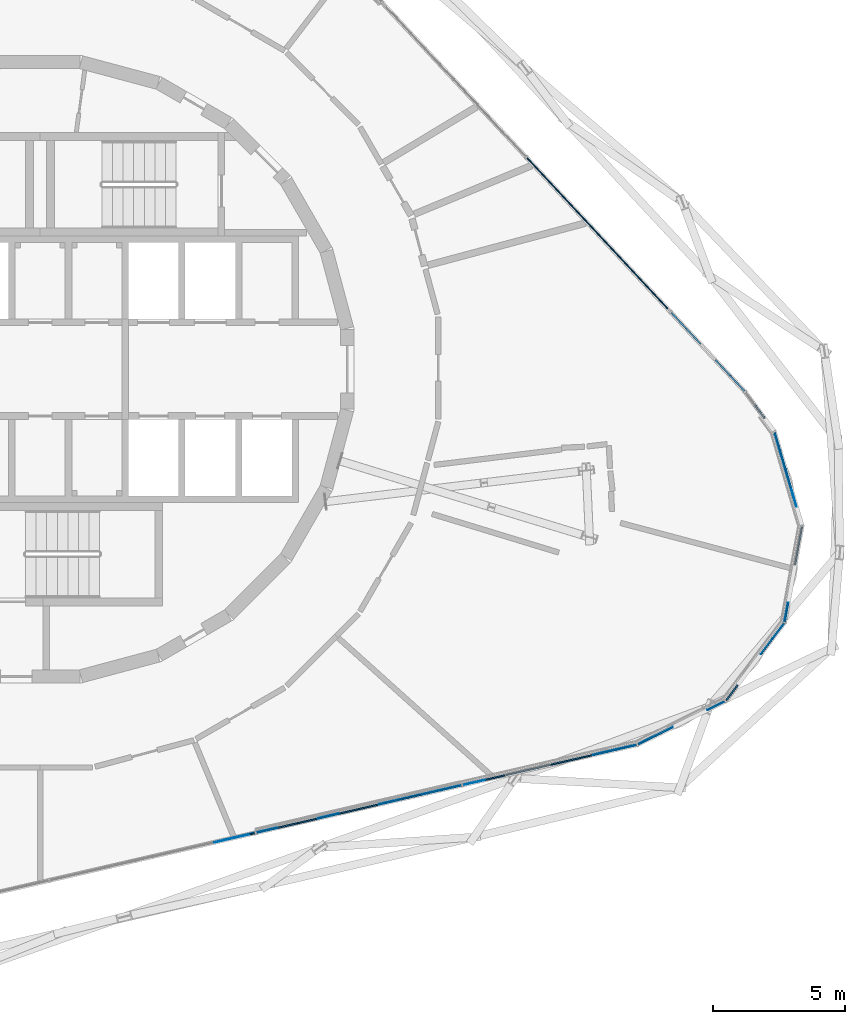
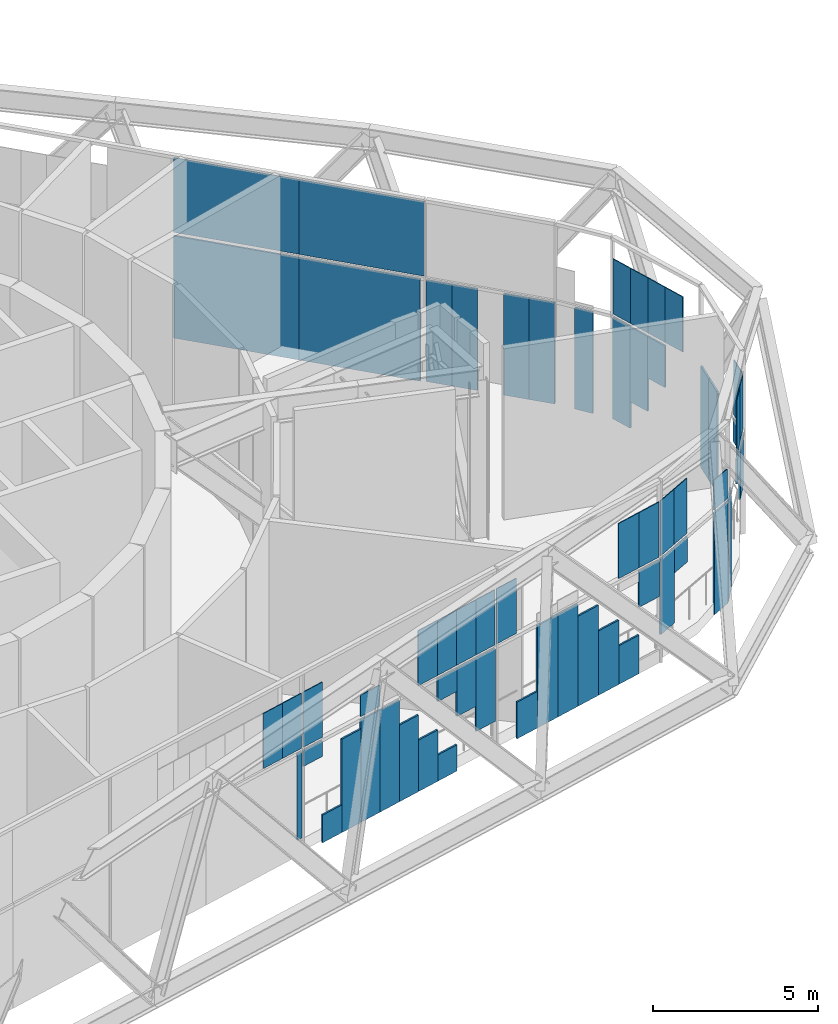
# One storey, part 13 of 25: 61 plates, 3 elements without a shape of their own.
"""IFC4 building model written with IfcOpenShell, lengths in metres."""

from ifc_helpers import new_model, si_unit, direction, frame, origin, origin_2d, place, context, subcontext, project, spatial, rectangle, extrude, material, layer, layer_set, type_object, element, aggregate, save


model = new_model("IFC4")

# Units and contexts
model_context = context("Model", 3, precision=1e-05, world=origin(), true_north=direction((0.0, 1.0)))
body_context = subcontext(model_context, "Body", "Model", "MODEL_VIEW")
ifc_project = project(units=[si_unit("LENGTHUNIT", "METRE"), si_unit("AREAUNIT", "SQUARE_METRE"), si_unit("VOLUMEUNIT", "CUBIC_METRE"), si_unit("PLANEANGLEUNIT", "RADIAN"), si_unit("MASSUNIT", "GRAM", prefix="KILO")], contexts=[model_context])

# Site, building, storey
site_placement = place(None, origin())
site = spatial("IfcSite", under=ifc_project, at=site_placement, CompositionType="ELEMENT")
building_placement = place(site_placement, origin())
building = spatial("IfcBuilding", under=site, at=building_placement, Name="Spindle Arch Residences", CompositionType="ELEMENT")
storey_placement = place(building_placement, frame((0.0, 0.0, 144.89990234375)))
storey = spatial("IfcBuildingStorey", under=building, at=storey_placement, Name="L36", CompositionType="ELEMENT", Elevation=144.89990234375)

# Curtain wall, plates
ifc_material_1 = material(Name="Aluminium bronze unitised frame with tinted glass", Category="aluminium")
ifc_layer_1 = layer(ifc_material_1, 0.159912109375)
ifc_layer_set_1 = layer_set([ifc_layer_1], Name="CW-E double-height winter garden wall")
curtain_wall_type = type_object("IfcCurtainWallType", Name="CW-E double-height winter garden wall", PredefinedType="NOTDEFINED", material=ifc_layer_set_1)
curtain_wall_1_placement = place(storey_placement, origin())
curtain_wall_1 = element("IfcCurtainWall", 1, at=curtain_wall_1_placement, inside=storey, type_object=curtain_wall_type, Name="CW-E L36 run 1", PredefinedType="NOTDEFINED")
ifc_material_2 = material(Name="Tinted laminated glass 28 mm", Category="glass")
ifc_layer_2 = layer(ifc_material_2, 0.028076171875)
ifc_layer_set_2 = layer_set([ifc_layer_2], Name="Tinted glass panel 28 mm")
plate_type_1 = type_object("IfcPlateType", Name="Tinted glass panel 28 mm", PredefinedType="CURTAIN_PANEL", material=ifc_layer_set_2)
plate_1_placement = place(storey_placement, frame((16.443603515625, -15.673583984375, 3.460205078125), z_axis=(0.0, 0.0, 1.0), x_axis=(0.974370064785, 0.224951054344, 0.0)))
plate_1 = element("IfcPlate", 2, at=plate_1_placement, type_object=plate_type_1, Name="CW-E panel 00b.1", PredefinedType="CURTAIN_PANEL", context=body_context, shape_type="SweptSolid", body=[
    extrude(rectangle(XDim=0.844970703125, YDim=0.028076171875, at=origin_2d()), origin(), (0.0, 0.0, 1.0), 2.0458984375),
])
plate_2_placement = place(storey_placement, frame((21.383544921875, -14.533203125, 3.460205078125), z_axis=(0.0, 0.0, 1.0), x_axis=(0.974370064785, 0.224951054344, 0.0)))
plate_2 = element("IfcPlate", 3, at=plate_2_placement, type_object=plate_type_1, Name="CW-E panel 00b.4", PredefinedType="CURTAIN_PANEL", context=body_context, shape_type="SweptSolid", body=[
    extrude(rectangle(XDim=0.844970703125, YDim=0.028076171875, at=origin_2d()), origin(), (0.0, 0.0, 1.0), 2.0458984375),
])
plate_3_placement = place(storey_placement, frame((22.206787109375, -14.343017578125, 3.460205078125), z_axis=(0.0, 0.0, 1.0), x_axis=(0.974370064785, 0.224951054344, 0.0)))
plate_3 = element("IfcPlate", 4, at=plate_3_placement, type_object=plate_type_1, Name="CW-E panel 00b.5", PredefinedType="CURTAIN_PANEL", context=body_context, shape_type="SweptSolid", body=[
    extrude(rectangle(XDim=0.844970703125, YDim=0.028076171875, at=origin_2d()), origin(), (0.0, 0.0, 1.0), 2.0458984375),
])
plate_4_placement = place(storey_placement, frame((23.003173828125, -14.0654296875, 3.460205078125), z_axis=(0.0, 0.0, 1.0), x_axis=(0.896228507614, 0.443592675931, 0.0)))
plate_4 = element("IfcPlate", 5, at=plate_4_placement, type_object=plate_type_1, Name="CW-E panel 01b.1", PredefinedType="CURTAIN_PANEL", context=body_context, shape_type="SweptSolid", body=[
    extrude(rectangle(XDim=0.7333984375, YDim=0.028076171875, at=origin_2d()), origin(), (0.0, 0.0, 1.0), 2.0458984375),
])
plate_5_placement = place(storey_placement, frame((23.660400390625, -13.739990234375, 3.460205078125), z_axis=(0.0, 0.0, 1.0), x_axis=(0.896228507614, 0.443592675931, 0.0)))
plate_5 = element("IfcPlate", 6, at=plate_5_placement, type_object=plate_type_1, Name="CW-E panel 01b.2", PredefinedType="CURTAIN_PANEL", context=body_context, shape_type="SweptSolid", body=[
    extrude(rectangle(XDim=0.7333984375, YDim=0.028076171875, at=origin_2d()), origin(), (0.0, 0.0, 1.0), 2.0458984375),
])
plate_6_placement = place(storey_placement, frame((25.632080078125, -12.76416015625, 3.4599609375), z_axis=(0.0, 0.0, 1.0), x_axis=(0.896228507614, 0.443592675931, 0.0)))
plate_6 = element("IfcPlate", 7, at=plate_6_placement, type_object=plate_type_1, Name="CW-E panel 01b.3", PredefinedType="CURTAIN_PANEL", context=body_context, shape_type="SweptSolid", body=[
    extrude(rectangle(XDim=0.7333984375, YDim=0.028076171875, at=origin_2d()), origin(), (0.0, 0.0, 1.0), 1.101318359375),
])
plate_7_placement = place(storey_placement, frame((27.550537109375, -10.514404296875, 3.460205078125), z_axis=(0.0, 0.0, 1.0), x_axis=(0.601815021814, 0.798635511056, 0.0)))
plate_7 = element("IfcPlate", 8, at=plate_7_placement, type_object=plate_type_1, Name="CW-E panel 02b.1", PredefinedType="CURTAIN_PANEL", context=body_context, shape_type="SweptSolid", body=[
    extrude(rectangle(XDim=0.7333984375, YDim=0.028076171875, at=origin_2d()), origin(), (0.0, 0.0, 1.0), 2.0458984375),
])
plate_8_placement = place(storey_placement, frame((27.99169921875, -9.9287109375, 3.460205078125), z_axis=(0.0, 0.0, 1.0), x_axis=(0.601815021814, 0.798635511056, 0.0)))
plate_8 = element("IfcPlate", 9, at=plate_8_placement, type_object=plate_type_1, Name="CW-E panel 02b.2", PredefinedType="CURTAIN_PANEL", context=body_context, shape_type="SweptSolid", body=[
    extrude(rectangle(XDim=0.7333984375, YDim=0.028076171875, at=origin_2d()), origin(), (0.0, 0.0, 1.0), 2.0458984375),
])
plate_9_placement = place(storey_placement, frame((28.3017578125, -9.2216796875, 3.460205078125), z_axis=(0.0, 0.0, 1.0), x_axis=(0.17937458782, 0.983780848179, 0.0)))
plate_9 = element("IfcPlate", 10, at=plate_9_placement, type_object=plate_type_1, Name="CW-E panel 03b.1", PredefinedType="CURTAIN_PANEL", context=body_context, shape_type="SweptSolid", body=[
    extrude(rectangle(XDim=0.7333984375, YDim=0.028076171875, at=origin_2d()), origin(), (0.0, 0.0, 1.0), 2.0458984375),
])
plate_10_placement = place(storey_placement, frame((28.5810546875, -4.861083984375, 3.460205078125), z_axis=(0.0, 0.0, 1.0), x_axis=(-0.281225052549, 0.959641844554, 0.0)))
plate_10 = element("IfcPlate", 11, at=plate_10_placement, type_object=plate_type_1, Name="CW-E panel 04b.1", PredefinedType="CURTAIN_PANEL", context=body_context, shape_type="SweptSolid", body=[
    extrude(rectangle(XDim=0.7333984375, YDim=0.028076171875, at=origin_2d()), origin(), (0.0, 0.0, 1.0), 2.0458984375),
])
plate_11_placement = place(storey_placement, frame((28.375, -4.1572265625, 3.460205078125), z_axis=(0.0, 0.0, 1.0), x_axis=(-0.281225052549, 0.959641844554, 0.0)))
plate_11 = element("IfcPlate", 12, at=plate_11_placement, type_object=plate_type_1, Name="CW-E panel 04b.2", PredefinedType="CURTAIN_PANEL", context=body_context, shape_type="SweptSolid", body=[
    extrude(rectangle(XDim=0.7333984375, YDim=0.028076171875, at=origin_2d()), origin(), (0.0, 0.0, 1.0), 2.0458984375),
])
plate_12_placement = place(storey_placement, frame((28.168701171875, -3.45361328125, 3.460205078125), z_axis=(0.0, 0.0, 1.0), x_axis=(-0.281225052549, 0.959641844554, 0.0)))
plate_12 = element("IfcPlate", 13, at=plate_12_placement, type_object=plate_type_1, Name="CW-E panel 04b.3", PredefinedType="CURTAIN_PANEL", context=body_context, shape_type="SweptSolid", body=[
    extrude(rectangle(XDim=0.7333984375, YDim=0.028076171875, at=origin_2d()), origin(), (0.0, 0.0, 1.0), 2.0458984375),
])
plate_13_placement = place(storey_placement, frame((27.96240234375, -2.749755859375, 3.460205078125), z_axis=(0.0, 0.0, 1.0), x_axis=(-0.281225052549, 0.959641844554, 0.0)))
plate_13 = element("IfcPlate", 14, at=plate_13_placement, type_object=plate_type_1, Name="CW-E panel 04b.4", PredefinedType="CURTAIN_PANEL", context=body_context, shape_type="SweptSolid", body=[
    extrude(rectangle(XDim=0.7333984375, YDim=0.028076171875, at=origin_2d()), origin(), (0.0, 0.0, 1.0), 2.0458984375),
])

curtain_wall_2_placement = place(storey_placement, origin())
curtain_wall_2 = element("IfcCurtainWall", 15, at=curtain_wall_2_placement, inside=storey, type_object=curtain_wall_type, Name="CW-E L36 run 2", PredefinedType="NOTDEFINED")
plate_14_placement = place(storey_placement, frame((22.534423828125, 3.651611328125, 3.460205078125), z_axis=(0.0, 0.0, 1.0), x_axis=(-0.681998360062, 0.731353701619, 0.0)))
plate_14 = element("IfcPlate", 16, at=plate_14_placement, type_object=plate_type_1, Name="CW-E unit 05Ab", PredefinedType="CURTAIN_PANEL", context=body_context, shape_type="SweptSolid", body=[
    extrude(rectangle(XDim=3.984619140625, YDim=0.028076171875, at=origin_2d()), origin(), (0.0, 0.0, 1.0), 2.77001953125),
])
plate_15_placement = place(storey_placement, frame((19.81689453125, 6.565673828125, 3.460205078125), z_axis=(0.0, 0.0, 1.0), x_axis=(-0.681998360062, 0.731353701619, 0.0)))
plate_15 = element("IfcPlate", 17, at=plate_15_placement, type_object=plate_type_1, Name="CW-E unit 05Bb", PredefinedType="CURTAIN_PANEL", context=body_context, shape_type="SweptSolid", body=[
    extrude(rectangle(XDim=3.984619140625, YDim=0.028076171875, at=origin_2d()), origin(), (0.0, 0.0, 1.0), 2.77001953125),
])

curtain_wall_3_placement = place(storey_placement, origin())
curtain_wall_3 = element("IfcCurtainWall", 18, at=curtain_wall_3_placement, inside=storey, type_object=curtain_wall_type, Name="CW-E L36 run 6", PredefinedType="NOTDEFINED")
plate_16_placement = place(storey_placement, frame((6.9853515625, -17.857177734375, 3.460205078125), z_axis=(0.0, 0.0, 1.0), x_axis=(0.974370064785, 0.224951054344, 0.0)))
plate_16 = element("IfcPlate", 19, at=plate_16_placement, type_object=plate_type_1, Name="CW-E panel 21Bb.4", PredefinedType="CURTAIN_PANEL", context=body_context, shape_type="SweptSolid", body=[
    extrude(rectangle(XDim=0.796875, YDim=0.028076171875, at=origin_2d()), origin(), (0.0, 0.0, 1.0), 2.0458984375),
])
plate_17_placement = place(storey_placement, frame((7.76171875, -17.677978515625, 3.460205078125), z_axis=(0.0, 0.0, 1.0), x_axis=(0.974370064785, 0.224951054344, 0.0)))
plate_17 = element("IfcPlate", 20, at=plate_17_placement, type_object=plate_type_1, Name="CW-E panel 21Bb.5", PredefinedType="CURTAIN_PANEL", context=body_context, shape_type="SweptSolid", body=[
    extrude(rectangle(XDim=0.796875, YDim=0.028076171875, at=origin_2d()), origin(), (0.0, 0.0, 1.0), 2.0458984375),
])
plate_18_placement = place(storey_placement, frame((8.5966796875, -17.485107421875, 3.460205078125), z_axis=(0.0, 0.0, 1.0), x_axis=(0.974370064785, 0.224951054344, 0.0)))
plate_18 = element("IfcPlate", 21, at=plate_18_placement, type_object=plate_type_1, Name="CW-E panel 00Ab.1", PredefinedType="CURTAIN_PANEL", context=body_context, shape_type="SweptSolid", body=[
    extrude(rectangle(XDim=0.796875, YDim=0.028076171875, at=origin_2d()), origin(), (0.0, 0.0, 1.0), 2.0458984375),
])
plate_19_placement = place(storey_placement, frame((10.92626953125, -16.947509765625, 3.4599609375), z_axis=(0.0, 0.0, 1.0), x_axis=(0.974370064785, 0.224951054344, 0.0)))
plate_19 = element("IfcPlate", 22, at=plate_19_placement, type_object=plate_type_1, Name="CW-E panel 00Ab.2", PredefinedType="CURTAIN_PANEL", context=body_context, shape_type="SweptSolid", body=[
    extrude(rectangle(XDim=0.796875, YDim=0.028076171875, at=origin_2d()), origin(), (0.0, 0.0, 1.0), 0.797119140625),
])
plate_20_placement = place(storey_placement, frame((13.255615234375, -16.40966796875, 3.460205078125), z_axis=(0.0, 0.0, 1.0), x_axis=(0.974370064785, 0.224951054344, 0.0)))
plate_20 = element("IfcPlate", 23, at=plate_20_placement, type_object=plate_type_1, Name="CW-E panel 00Bb.1", PredefinedType="CURTAIN_PANEL", context=body_context, shape_type="SweptSolid", body=[
    extrude(rectangle(XDim=0.796875, YDim=0.028076171875, at=origin_2d()), origin(), (0.0, 0.0, 1.0), 2.0458984375),
])
plate_21_placement = place(storey_placement, frame((14.0322265625, -16.230224609375, 3.460205078125), z_axis=(0.0, 0.0, 1.0), x_axis=(0.974370064785, 0.224951054344, 0.0)))
plate_21 = element("IfcPlate", 24, at=plate_21_placement, type_object=plate_type_1, Name="CW-E panel 00Bb.2", PredefinedType="CURTAIN_PANEL", context=body_context, shape_type="SweptSolid", body=[
    extrude(rectangle(XDim=0.796875, YDim=0.028076171875, at=origin_2d()), origin(), (0.0, 0.0, 1.0), 2.0458984375),
])
plate_22_placement = place(storey_placement, frame((14.80859375, -16.051025390625, 3.460205078125), z_axis=(0.0, 0.0, 1.0), x_axis=(0.974370064785, 0.224951054344, 0.0)))
plate_22 = element("IfcPlate", 25, at=plate_22_placement, type_object=plate_type_1, Name="CW-E panel 00Bb.3", PredefinedType="CURTAIN_PANEL", context=body_context, shape_type="SweptSolid", body=[
    extrude(rectangle(XDim=0.796875, YDim=0.028076171875, at=origin_2d()), origin(), (0.0, 0.0, 1.0), 2.0458984375),
])
plate_23_placement = place(storey_placement, frame((15.585205078125, -15.871826171875, 3.460205078125), z_axis=(0.0, 0.0, 1.0), x_axis=(0.974370064785, 0.224951054344, 0.0)))
plate_23 = element("IfcPlate", 26, at=plate_23_placement, type_object=plate_type_1, Name="CW-E panel 00Bb.4", PredefinedType="CURTAIN_PANEL", context=body_context, shape_type="SweptSolid", body=[
    extrude(rectangle(XDim=0.796875, YDim=0.028076171875, at=origin_2d()), origin(), (0.0, 0.0, 1.0), 2.0458984375),
])

# Plate
ifc_material_3 = material(Name="Tinted double glazing over aluminium faced non-combustible spandrel zone (K0)", Category="aluminium")
ifc_layer_3 = layer(ifc_material_3, 0.06005859375)
ifc_layer_set_3 = layer_set([ifc_layer_3], Name="Unitised glass panel with E 60 spandrel zone")
plate_type_2 = type_object("IfcPlateType", Name="Unitised glass panel with E 60 spandrel zone", PredefinedType="CURTAIN_PANEL", material=ifc_layer_set_3)
plate_24_placement = place(storey_placement, frame((17.266845703125, -15.483642578125, -0.44970703125), z_axis=(0.0, 0.0, 1.0), x_axis=(0.974370064785, 0.224951054344, 0.0)))
plate_24 = element("IfcPlate", 27, at=plate_24_placement, type_object=plate_type_2, Name="CW-E panel 00a.1", PredefinedType="CURTAIN_PANEL", context=body_context, shape_type="SweptSolid", body=[
    extrude(rectangle(XDim=0.844970703125, YDim=0.06005859375, at=origin_2d()), origin(), (0.0, 0.0, 1.0), 1.357177734375),
])

plate_25_placement = place(storey_placement, frame((18.090087890625, -15.29345703125, -0.449951171875), z_axis=(0.0, 0.0, 1.0), x_axis=(0.974370064785, 0.224951054344, 0.0)))
plate_25 = element("IfcPlate", 28, at=plate_25_placement, type_object=plate_type_2, Name="CW-E panel 00a.2", PredefinedType="CURTAIN_PANEL", context=body_context, shape_type="SweptSolid", body=[
    extrude(rectangle(XDim=0.844970703125, YDim=0.06005859375, at=origin_2d()), origin(), (0.0, 0.0, 1.0), 3.7900390625),
])

plate_26_placement = place(storey_placement, frame((18.91357421875, -15.103515625, -0.449951171875), z_axis=(0.0, 0.0, 1.0), x_axis=(0.974370064785, 0.224951054344, 0.0)))
plate_26 = element("IfcPlate", 29, at=plate_26_placement, type_object=plate_type_2, Name="CW-E panel 00a.3", PredefinedType="CURTAIN_PANEL", context=body_context, shape_type="SweptSolid", body=[
    extrude(rectangle(XDim=0.844970703125, YDim=0.06005859375, at=origin_2d()), origin(), (0.0, 0.0, 1.0), 3.7900390625),
])

plate_27_placement = place(storey_placement, frame((19.73681640625, -14.913330078125, -0.44970703125), z_axis=(0.0, 0.0, 1.0), x_axis=(0.974370064785, 0.224951054344, 0.0)))
plate_27 = element("IfcPlate", 30, at=plate_27_placement, type_object=plate_type_2, Name="CW-E panel 00a.4", PredefinedType="CURTAIN_PANEL", context=body_context, shape_type="SweptSolid", body=[
    extrude(rectangle(XDim=0.844970703125, YDim=0.06005859375, at=origin_2d()), origin(), (0.0, 0.0, 1.0), 3.340087890625),
])

plate_28_placement = place(storey_placement, frame((20.56005859375, -14.72314453125, -0.449951171875), z_axis=(0.0, 0.0, 1.0), x_axis=(0.974370064785, 0.224951054344, 0.0)))
plate_28 = element("IfcPlate", 31, at=plate_28_placement, type_object=plate_type_2, Name="CW-E panel 00a.5", PredefinedType="CURTAIN_PANEL", context=body_context, shape_type="SweptSolid", body=[
    extrude(rectangle(XDim=0.844970703125, YDim=0.06005859375, at=origin_2d()), origin(), (0.0, 0.0, 1.0), 2.3857421875),
])

plate_29_placement = place(storey_placement, frame((21.383544921875, -14.533203125, -0.449951171875), z_axis=(0.0, 0.0, 1.0), x_axis=(0.974370064785, 0.224951054344, 0.0)))
plate_29 = element("IfcPlate", 32, at=plate_29_placement, type_object=plate_type_2, Name="CW-E panel 00a.6", PredefinedType="CURTAIN_PANEL", context=body_context, shape_type="SweptSolid", body=[
    extrude(rectangle(XDim=0.844970703125, YDim=0.06005859375, at=origin_2d()), origin(), (0.0, 0.0, 1.0), 1.43115234375),
])

plate_30_placement = place(storey_placement, frame((22.206787109375, -14.343017578125, 2.007080078125), z_axis=(0.0, 0.0, 1.0), x_axis=(0.974370064785, 0.224951054344, 0.0)))
plate_30 = element("IfcPlate", 33, at=plate_30_placement, type_object=plate_type_2, Name="CW-E panel 00a.9", PredefinedType="CURTAIN_PANEL", context=body_context, shape_type="SweptSolid", body=[
    extrude(rectangle(XDim=0.844970703125, YDim=0.06005859375, at=origin_2d()), origin(), (0.0, 0.0, 1.0), 1.3330078125),
])

plate_31_placement = place(storey_placement, frame((23.003173828125, -14.0654296875, 0.552734375), z_axis=(0.0, 0.0, 1.0), x_axis=(0.896228507614, 0.443592675931, 0.0)))
plate_31 = element("IfcPlate", 34, at=plate_31_placement, type_object=plate_type_2, Name="CW-E panel 01a.1", PredefinedType="CURTAIN_PANEL", context=body_context, shape_type="SweptSolid", body=[
    extrude(rectangle(XDim=0.7333984375, YDim=0.06005859375, at=origin_2d()), origin(), (0.0, 0.0, 1.0), 2.787353515625),
])

plate_32_placement = place(storey_placement, frame((23.660400390625, -13.739990234375, 2.406982421875), z_axis=(0.0, 0.0, 1.0), x_axis=(0.896228507614, 0.443592675931, 0.0)))
plate_32 = element("IfcPlate", 35, at=plate_32_placement, type_object=plate_type_2, Name="CW-E panel 01a.2", PredefinedType="CURTAIN_PANEL", context=body_context, shape_type="SweptSolid", body=[
    extrude(rectangle(XDim=0.7333984375, YDim=0.06005859375, at=origin_2d()), origin(), (0.0, 0.0, 1.0), 0.93310546875),
])

plate_33_placement = place(storey_placement, frame((25.632080078125, -12.76416015625, -0.419921875), z_axis=(0.0, 0.0, 1.0), x_axis=(0.896228507614, 0.443592675931, 0.0)))
plate_33 = element("IfcPlate", 36, at=plate_33_placement, type_object=plate_type_2, Name="CW-E panel 01a.3", PredefinedType="CURTAIN_PANEL", context=body_context, shape_type="SweptSolid", body=[
    extrude(rectangle(XDim=0.7333984375, YDim=0.06005859375, at=origin_2d()), origin(), (0.0, 0.0, 1.0), 3.760009765625),
])

plate_34_placement = place(storey_placement, frame((26.226318359375, -12.271240234375, -0.419921875), z_axis=(0.0, 0.0, 1.0), x_axis=(0.601815021814, 0.798635511056, 0.0)))
plate_34 = element("IfcPlate", 37, at=plate_34_placement, type_object=plate_type_2, Name="CW-E panel 02a.1", PredefinedType="CURTAIN_PANEL", context=body_context, shape_type="SweptSolid", body=[
    extrude(rectangle(XDim=0.7333984375, YDim=0.06005859375, at=origin_2d()), origin(), (0.0, 0.0, 1.0), 3.760009765625),
])

plate_35_placement = place(storey_placement, frame((27.550537109375, -10.514404296875, 2.43505859375), z_axis=(0.0, 0.0, 1.0), x_axis=(0.601815021814, 0.798635511056, 0.0)))
plate_35 = element("IfcPlate", 38, at=plate_35_placement, type_object=plate_type_2, Name="CW-E panel 02a.2", PredefinedType="CURTAIN_PANEL", context=body_context, shape_type="SweptSolid", body=[
    extrude(rectangle(XDim=0.7333984375, YDim=0.06005859375, at=origin_2d()), origin(), (0.0, 0.0, 1.0), 0.905029296875),
])

plate_36_placement = place(storey_placement, frame((27.99169921875, -9.9287109375, 1.344482421875), z_axis=(0.0, 0.0, 1.0), x_axis=(0.601815021814, 0.798635511056, 0.0)))
plate_36 = element("IfcPlate", 39, at=plate_36_placement, type_object=plate_type_2, Name="CW-E panel 02a.3", PredefinedType="CURTAIN_PANEL", context=body_context, shape_type="SweptSolid", body=[
    extrude(rectangle(XDim=0.7333984375, YDim=0.06005859375, at=origin_2d()), origin(), (0.0, 0.0, 1.0), 1.99560546875),
])

plate_37_placement = place(storey_placement, frame((28.3017578125, -9.2216796875, 2.473388671875), z_axis=(0.0, 0.0, 1.0), x_axis=(0.17937458782, 0.983780848179, 0.0)))
plate_37 = element("IfcPlate", 40, at=plate_37_placement, type_object=plate_type_2, Name="CW-E panel 03a.1", PredefinedType="CURTAIN_PANEL", context=body_context, shape_type="SweptSolid", body=[
    extrude(rectangle(XDim=0.7333984375, YDim=0.06005859375, at=origin_2d()), origin(), (0.0, 0.0, 1.0), 0.86669921875),
])

plate_38_placement = place(storey_placement, frame((28.6962890625, -7.05712890625, -0.419921875), z_axis=(0.0, 0.0, 1.0), x_axis=(0.17937458782, 0.983780848179, 0.0)))
plate_38 = element("IfcPlate", 41, at=plate_38_placement, type_object=plate_type_2, Name="CW-E panel 03a.2", PredefinedType="CURTAIN_PANEL", context=body_context, shape_type="SweptSolid", body=[
    extrude(rectangle(XDim=0.7333984375, YDim=0.06005859375, at=origin_2d()), origin(), (0.0, 0.0, 1.0), 3.760009765625),
])

plate_39_placement = place(storey_placement, frame((28.827880859375, -6.335693359375, -0.419921875), z_axis=(0.0, 0.0, 1.0), x_axis=(0.17937458782, 0.983780848179, 0.0)))
plate_39 = element("IfcPlate", 42, at=plate_39_placement, type_object=plate_type_2, Name="CW-E panel 03a.3", PredefinedType="CURTAIN_PANEL", context=body_context, shape_type="SweptSolid", body=[
    extrude(rectangle(XDim=0.7333984375, YDim=0.06005859375, at=origin_2d()), origin(), (0.0, 0.0, 1.0), 3.760009765625),
])

plate_40_placement = place(storey_placement, frame((28.375, -4.1572265625, 1.7958984375), z_axis=(0.0, 0.0, 1.0), x_axis=(-0.281225052549, 0.959641844554, 0.0)))
plate_40 = element("IfcPlate", 43, at=plate_40_placement, type_object=plate_type_2, Name="CW-E panel 04a.2", PredefinedType="CURTAIN_PANEL", context=body_context, shape_type="SweptSolid", body=[
    extrude(rectangle(XDim=0.7333984375, YDim=0.06005859375, at=origin_2d()), origin(), (0.0, 0.0, 1.0), 1.544189453125),
])

plate_41_placement = place(storey_placement, frame((28.168701171875, -3.45361328125, 0.561767578125), z_axis=(0.0, 0.0, 1.0), x_axis=(-0.281225052549, 0.959641844554, 0.0)))
plate_41 = element("IfcPlate", 44, at=plate_41_placement, type_object=plate_type_2, Name="CW-E panel 04a.3", PredefinedType="CURTAIN_PANEL", context=body_context, shape_type="SweptSolid", body=[
    extrude(rectangle(XDim=0.7333984375, YDim=0.06005859375, at=origin_2d()), origin(), (0.0, 0.0, 1.0), 2.7783203125),
])

plate_42_placement = place(storey_placement, frame((27.96240234375, -2.749755859375, -0.419921875), z_axis=(0.0, 0.0, 1.0), x_axis=(-0.281225052549, 0.959641844554, 0.0)))
plate_42 = element("IfcPlate", 45, at=plate_42_placement, type_object=plate_type_2, Name="CW-E panel 04a.4", PredefinedType="CURTAIN_PANEL", context=body_context, shape_type="SweptSolid", body=[
    extrude(rectangle(XDim=0.7333984375, YDim=0.06005859375, at=origin_2d()), origin(), (0.0, 0.0, 1.0), 3.760009765625),
])

plate_43_placement = place(storey_placement, frame((27.295166015625, -1.613525390625, -0.419921875), z_axis=(0.0, 0.0, 1.0), x_axis=(-0.592481951039, 0.805583724819, 0.0)))
plate_43 = element("IfcPlate", 46, at=plate_43_placement, type_object=plate_type_2, Name="CW-E panel 05a.1", PredefinedType="CURTAIN_PANEL", context=body_context, shape_type="SweptSolid", body=[
    extrude(rectangle(XDim=0.60546875, YDim=0.06005859375, at=origin_2d()), origin(), (0.0, 0.0, 1.0), 3.760009765625),
])

plate_44_placement = place(storey_placement, frame((26.4404296875, -0.537353515625, -0.419921875), z_axis=(0.0, 0.0, 1.0), x_axis=(-0.681998360062, 0.731353701619, 0.0)))
plate_44 = element("IfcPlate", 47, at=plate_44_placement, type_object=plate_type_2, Name="CW-E panel 06a.1", PredefinedType="CURTAIN_PANEL", context=body_context, shape_type="SweptSolid", body=[
    extrude(rectangle(XDim=0.816650390625, YDim=0.06005859375, at=origin_2d()), origin(), (0.0, 0.0, 1.0), 3.760009765625),
])

plate_45_placement = place(storey_placement, frame((25.883544921875, 0.06005859375, -0.419921875), z_axis=(0.0, 0.0, 1.0), x_axis=(-0.681998360062, 0.731353701619, 0.0)))
plate_45 = element("IfcPlate", 48, at=plate_45_placement, type_object=plate_type_2, Name="CW-E panel 06a.2", PredefinedType="CURTAIN_PANEL", context=body_context, shape_type="SweptSolid", body=[
    extrude(rectangle(XDim=0.816650390625, YDim=0.06005859375, at=origin_2d()), origin(), (0.0, 0.0, 1.0), 3.760009765625),
])

plate_46_placement = place(storey_placement, frame((24.76953125, 1.254638671875, -0.419921875), z_axis=(0.0, 0.0, 1.0), x_axis=(-0.681998360062, 0.731353701619, 0.0)))
plate_46 = element("IfcPlate", 49, at=plate_46_placement, type_object=plate_type_2, Name="CW-E panel 06a.4", PredefinedType="CURTAIN_PANEL", context=body_context, shape_type="SweptSolid", body=[
    extrude(rectangle(XDim=0.816650390625, YDim=0.06005859375, at=origin_2d()), origin(), (0.0, 0.0, 1.0), 3.760009765625),
])

plate_47_placement = place(storey_placement, frame((24.21240234375, 1.851806640625, -0.419921875), z_axis=(0.0, 0.0, 1.0), x_axis=(-0.681998360062, 0.731353701619, 0.0)))
plate_47 = element("IfcPlate", 50, at=plate_47_placement, type_object=plate_type_2, Name="CW-E panel 06a.5", PredefinedType="CURTAIN_PANEL", context=body_context, shape_type="SweptSolid", body=[
    extrude(rectangle(XDim=0.816650390625, YDim=0.06005859375, at=origin_2d()), origin(), (0.0, 0.0, 1.0), 3.760009765625),
])

aggregate(curtain_wall_1, [plate_24, plate_25, plate_26, plate_27, plate_28, plate_29, plate_30, plate_1, plate_2, plate_3, plate_31, plate_32, plate_33, plate_4, plate_5, plate_6, plate_34, plate_35, plate_36, plate_7, plate_8, plate_37, plate_38, plate_39, plate_9, plate_40, plate_41, plate_42, plate_10, plate_11, plate_12, plate_13, plate_43, plate_44, plate_45, plate_46, plate_47])

plate_48_placement = place(storey_placement, frame((22.49072265625, 3.6982421875, -0.449951171875), z_axis=(0.0, 0.0, 1.0), x_axis=(-0.681998360062, 0.731353701619, 0.0)))
plate_48 = element("IfcPlate", 51, at=plate_48_placement, type_object=plate_type_2, Name="CW-E panel 05Aa.2", PredefinedType="CURTAIN_PANEL", context=body_context, shape_type="SweptSolid", body=[
    extrude(rectangle(XDim=3.8564453125, YDim=0.06005859375, at=origin_2d()), origin(), (0.0, 0.0, 1.0), 3.7900390625),
])

plate_49_placement = place(storey_placement, frame((19.81689453125, 6.565673828125, -0.449951171875), z_axis=(0.0, 0.0, 1.0), x_axis=(-0.681998360062, 0.731353701619, 0.0)))
plate_49 = element("IfcPlate", 52, at=plate_49_placement, type_object=plate_type_2, Name="CW-E unit 05Ba", PredefinedType="CURTAIN_PANEL", context=body_context, shape_type="SweptSolid", body=[
    extrude(rectangle(XDim=3.984619140625, YDim=0.06005859375, at=origin_2d()), origin(), (0.0, 0.0, 1.0), 3.7900390625),
])

aggregate(curtain_wall_2, [plate_48, plate_14, plate_49, plate_15])

plate_50_placement = place(storey_placement, frame((8.05517578125, -17.610107421875, 0.144287109375), z_axis=(0.0, 0.0, 1.0), x_axis=(0.974370064785, 0.224951054344, 0.0)))
plate_50 = element("IfcPlate", 53, at=plate_50_placement, type_object=plate_type_2, Name="CW-E panel 21Ba.2", PredefinedType="CURTAIN_PANEL", context=body_context, shape_type="SweptSolid", body=[
    extrude(rectangle(XDim=0.194580078125, YDim=0.06005859375, at=origin_2d()), origin(), (0.0, 0.0, 1.0), 3.19580078125),
])

plate_51_placement = place(storey_placement, frame((8.5966796875, -17.485107421875, 2.76220703125), z_axis=(0.0, 0.0, 1.0), x_axis=(0.974370064785, 0.224951054344, 0.0)))
plate_51 = element("IfcPlate", 54, at=plate_51_placement, type_object=plate_type_2, Name="CW-E panel 00Aa.1", PredefinedType="CURTAIN_PANEL", context=body_context, shape_type="SweptSolid", body=[
    extrude(rectangle(XDim=0.796875, YDim=0.06005859375, at=origin_2d()), origin(), (0.0, 0.0, 1.0), 0.577880859375),
])

plate_52_placement = place(storey_placement, frame((9.373291015625, -17.305908203125, -0.449951171875), z_axis=(0.0, 0.0, 1.0), x_axis=(0.974370064785, 0.224951054344, 0.0)))
plate_52 = element("IfcPlate", 55, at=plate_52_placement, type_object=plate_type_2, Name="CW-E panel 00Aa.2", PredefinedType="CURTAIN_PANEL", context=body_context, shape_type="SweptSolid", body=[
    extrude(rectangle(XDim=0.796875, YDim=0.06005859375, at=origin_2d()), origin(), (0.0, 0.0, 1.0), 1.0263671875),
])

plate_53_placement = place(storey_placement, frame((10.149658203125, -17.126708984375, -0.449951171875), z_axis=(0.0, 0.0, 1.0), x_axis=(0.974370064785, 0.224951054344, 0.0)))
plate_53 = element("IfcPlate", 56, at=plate_53_placement, type_object=plate_type_2, Name="CW-E panel 00Aa.3", PredefinedType="CURTAIN_PANEL", context=body_context, shape_type="SweptSolid", body=[
    extrude(rectangle(XDim=0.796875, YDim=0.06005859375, at=origin_2d()), origin(), (0.0, 0.0, 1.0), 3.4609375),
])

plate_54_placement = place(storey_placement, frame((10.92626953125, -16.947509765625, -0.449951171875), z_axis=(0.0, 0.0, 1.0), x_axis=(0.974370064785, 0.224951054344, 0.0)))
plate_54 = element("IfcPlate", 57, at=plate_54_placement, type_object=plate_type_2, Name="CW-E panel 00Aa.4", PredefinedType="CURTAIN_PANEL", context=body_context, shape_type="SweptSolid", body=[
    extrude(rectangle(XDim=0.796875, YDim=0.06005859375, at=origin_2d()), origin(), (0.0, 0.0, 1.0), 3.7900390625),
])

plate_55_placement = place(storey_placement, frame((11.70263671875, -16.76806640625, -0.449951171875), z_axis=(0.0, 0.0, 1.0), x_axis=(0.974370064785, 0.224951054344, 0.0)))
plate_55 = element("IfcPlate", 58, at=plate_55_placement, type_object=plate_type_2, Name="CW-E panel 00Aa.5", PredefinedType="CURTAIN_PANEL", context=body_context, shape_type="SweptSolid", body=[
    extrude(rectangle(XDim=0.796875, YDim=0.06005859375, at=origin_2d()), origin(), (0.0, 0.0, 1.0), 3.7734375),
])

plate_56_placement = place(storey_placement, frame((12.479248046875, -16.5888671875, -0.44970703125), z_axis=(0.0, 0.0, 1.0), x_axis=(0.974370064785, 0.224951054344, 0.0)))
plate_56 = element("IfcPlate", 59, at=plate_56_placement, type_object=plate_type_2, Name="CW-E panel 00Ba.1", PredefinedType="CURTAIN_PANEL", context=body_context, shape_type="SweptSolid", body=[
    extrude(rectangle(XDim=0.796875, YDim=0.06005859375, at=origin_2d()), origin(), (0.0, 0.0, 1.0), 2.839599609375),
])

plate_57_placement = place(storey_placement, frame((13.255615234375, -16.40966796875, -0.449951171875), z_axis=(0.0, 0.0, 1.0), x_axis=(0.974370064785, 0.224951054344, 0.0)))
plate_57 = element("IfcPlate", 60, at=plate_57_placement, type_object=plate_type_2, Name="CW-E panel 00Ba.2", PredefinedType="CURTAIN_PANEL", context=body_context, shape_type="SweptSolid", body=[
    extrude(rectangle(XDim=0.796875, YDim=0.06005859375, at=origin_2d()), origin(), (0.0, 0.0, 1.0), 1.90576171875),
])

plate_58_placement = place(storey_placement, frame((14.0322265625, -16.230224609375, -0.44970703125), z_axis=(0.0, 0.0, 1.0), x_axis=(0.974370064785, 0.224951054344, 0.0)))
plate_58 = element("IfcPlate", 61, at=plate_58_placement, type_object=plate_type_2, Name="CW-E panel 00Ba.3", PredefinedType="CURTAIN_PANEL", context=body_context, shape_type="SweptSolid", body=[
    extrude(rectangle(XDim=0.796875, YDim=0.06005859375, at=origin_2d()), origin(), (0.0, 0.0, 1.0), 0.971923828125),
])

plate_59_placement = place(storey_placement, frame((14.0322265625, -16.230224609375, 2.50341796875), z_axis=(0.0, 0.0, 1.0), x_axis=(0.974370064785, 0.224951054344, 0.0)))
plate_59 = element("IfcPlate", 62, at=plate_59_placement, type_object=plate_type_2, Name="CW-E panel 00Ba.4", PredefinedType="CURTAIN_PANEL", context=body_context, shape_type="SweptSolid", body=[
    extrude(rectangle(XDim=0.796875, YDim=0.06005859375, at=origin_2d()), origin(), (0.0, 0.0, 1.0), 0.836669921875),
])

plate_60_placement = place(storey_placement, frame((14.80859375, -16.051025390625, 1.569580078125), z_axis=(0.0, 0.0, 1.0), x_axis=(0.974370064785, 0.224951054344, 0.0)))
plate_60 = element("IfcPlate", 63, at=plate_60_placement, type_object=plate_type_2, Name="CW-E panel 00Ba.5", PredefinedType="CURTAIN_PANEL", context=body_context, shape_type="SweptSolid", body=[
    extrude(rectangle(XDim=0.796875, YDim=0.06005859375, at=origin_2d()), origin(), (0.0, 0.0, 1.0), 1.7705078125),
])

plate_61_placement = place(storey_placement, frame((15.585205078125, -15.871826171875, 0.6357421875), z_axis=(0.0, 0.0, 1.0), x_axis=(0.974370064785, 0.224951054344, 0.0)))
plate_61 = element("IfcPlate", 64, at=plate_61_placement, type_object=plate_type_2, Name="CW-E panel 00Ba.6", PredefinedType="CURTAIN_PANEL", context=body_context, shape_type="SweptSolid", body=[
    extrude(rectangle(XDim=0.796875, YDim=0.06005859375, at=origin_2d()), origin(), (0.0, 0.0, 1.0), 2.704345703125),
])

aggregate(curtain_wall_3, [plate_50, plate_16, plate_17, plate_51, plate_52, plate_53, plate_54, plate_55, plate_18, plate_19, plate_56, plate_57, plate_58, plate_59, plate_60, plate_61, plate_20, plate_21, plate_22, plate_23])

save(model, "model.ifc")
